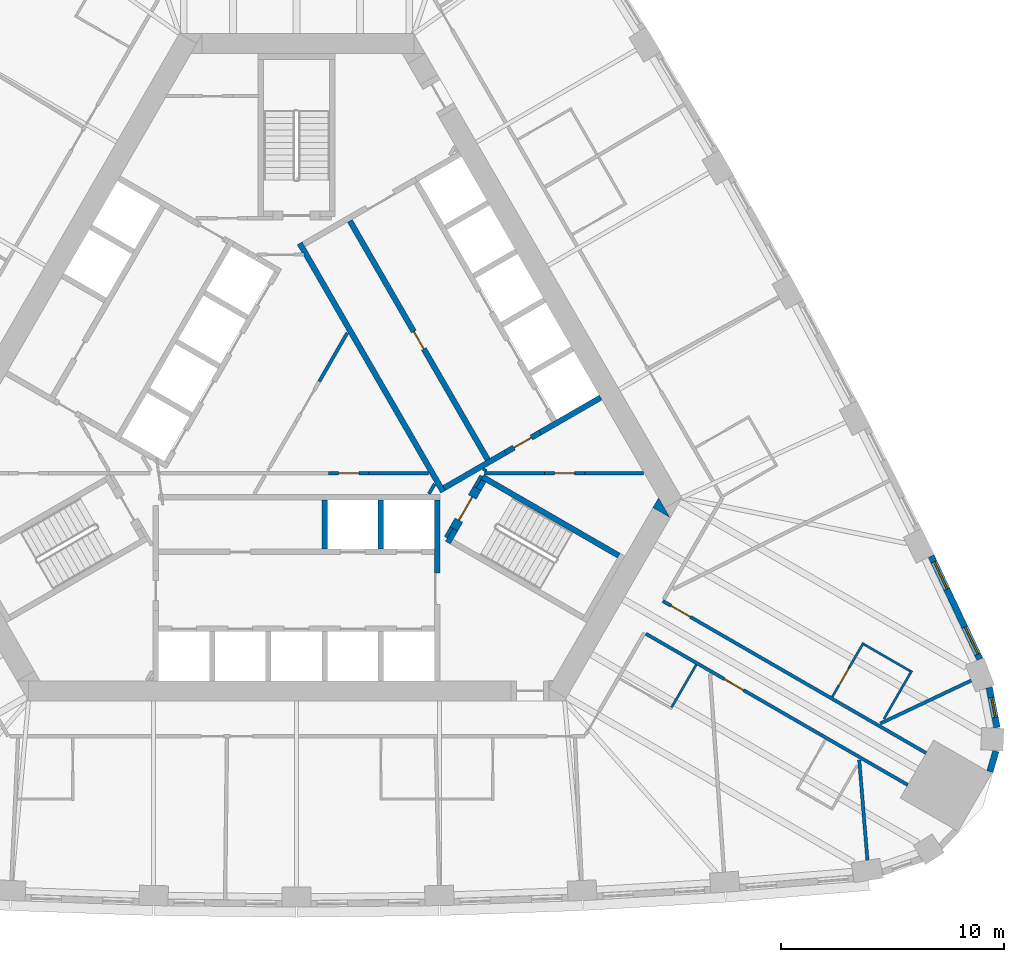
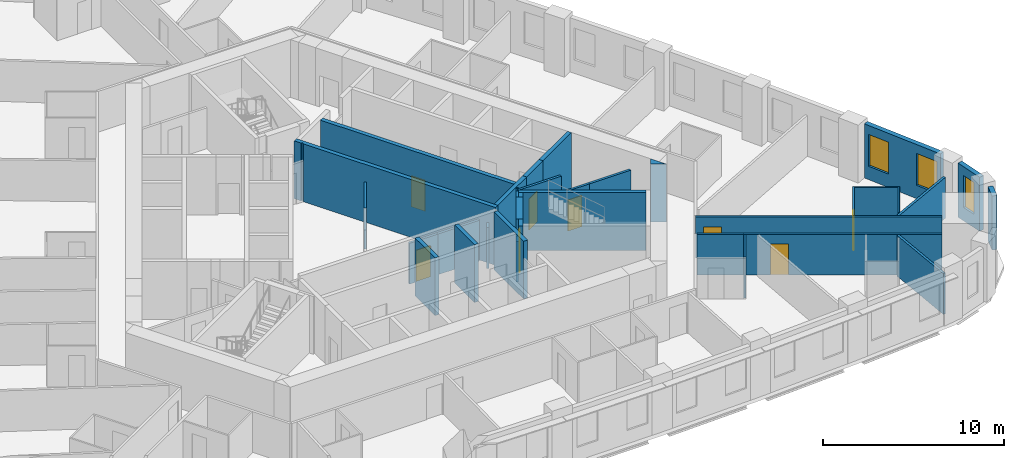
# One storey, part 8 of 12: 34 walls, 8 doors, 3 windows, 11 openings.
"""IFC4 building model written with IfcOpenShell, lengths in metres."""

from ifc_helpers import new_model, si_unit, direction, frame, frame_2d, origin, place, context, subcontext, project, spatial, polyline, rectangle, outline, extrude, material, layer, layer_set, type_object, element, fill, save


model = new_model("IFC4")

# Units and contexts
model_context = context("Model", 3, precision=1e-05, world=origin(), true_north=direction((0.0, 1.0)))
body_context = subcontext(model_context, "Body", "Model", "MODEL_VIEW")
ifc_project = project(units=[si_unit("LENGTHUNIT", "METRE"), si_unit("AREAUNIT", "SQUARE_METRE"), si_unit("VOLUMEUNIT", "CUBIC_METRE"), si_unit("PLANEANGLEUNIT", "RADIAN"), si_unit("MASSUNIT", "GRAM", prefix="KILO")], contexts=[model_context])

# Site, building, storey
site_placement = place(None, origin())
site = spatial("IfcSite", under=ifc_project, at=site_placement, CompositionType="ELEMENT")
building_placement = place(site_placement, origin())
building = spatial("IfcBuilding", under=site, at=building_placement, Name="Mestral Congress Tower", CompositionType="ELEMENT")
storey_placement = place(building_placement, frame((0.0, 0.0, 126.60009765625)))
storey = spatial("IfcBuildingStorey", under=building, at=storey_placement, Name="L30", CompositionType="ELEMENT", Elevation=126.60009765625)

# Walls
ifc_material_1 = material(Name="Fire-rated board partition")
ifc_layer_1 = layer(ifc_material_1, 0.14990234375)
ifc_layer_set_1 = layer_set([ifc_layer_1], Name="Fire-rated board partition")
wall_type_1 = type_object("IfcWallType", Name="Core partition 150", PredefinedType="PARTITIONING", material=ifc_layer_set_1)
wall_1_placement = place(storey_placement, frame((6.68798828125, -5.667236328125, 0.0), z_axis=(0.0, 0.0, 1.0), x_axis=(0.499834152157, 0.86612113491, 0.0)))
element("IfcWall", 1, at=wall_1_placement, inside=storey, type_object=wall_type_1, Name="L30 core wall", PredefinedType="PARTITIONING", context=body_context, shape_type="SweptSolid", body=[
    extrude(rectangle(XDim=0.504638671875, YDim=0.14990234375, at=frame_2d((0.25244140625, 0.0))), origin(), (0.0, 0.0, 1.0), 2.75),
])
wall_2_placement = place(storey_placement, frame((5.935791015625, -3.718017578125, 0.0), z_axis=(0.0, 0.0, 1.0), x_axis=(0.499890179513, 0.866088799389, 0.0)))
element("IfcWall", 2, at=wall_2_placement, inside=storey, type_object=wall_type_1, Name="L30 core wall", PredefinedType="PARTITIONING", context=body_context, shape_type="SweptSolid", body=[
    extrude(rectangle(XDim=0.50390625, YDim=0.14990234375, at=frame_2d((0.251953125, 0.0))), origin(), (0.0, 0.0, 1.0), 2.75),
])
wall_3_placement = place(storey_placement, frame((3.23828125, -2.800048828125, 0.0), z_axis=(0.0, 0.0, 1.0), x_axis=(1.0, 0.0, 0.0)))
element("IfcWall", 3, at=wall_3_placement, inside=storey, type_object=wall_type_1, Name="L30 core wall", PredefinedType="PARTITIONING", context=body_context, shape_type="SweptSolid", body=[
    extrude(rectangle(XDim=2.671630859375, YDim=0.14990234375, at=frame_2d((1.3359375, 0.0))), origin(), (0.0, 0.0, 1.0), 2.75),
])
wall_4_placement = place(storey_placement, frame((12.914794921875, -2.800048828125, 0.0), z_axis=(0.0, 0.0, 1.0), x_axis=(1.0, 0.0, 0.0)))
element("IfcWall", 4, at=wall_4_placement, inside=storey, type_object=wall_type_1, Name="L30 core wall", PredefinedType="PARTITIONING", context=body_context, shape_type="SweptSolid", body=[
    extrude(rectangle(XDim=2.636962890625, YDim=0.14990234375, at=frame_2d((1.318359375, 0.0))), origin(), (0.0, 0.0, 1.0), 2.75),
])
wall_5_placement = place(storey_placement, frame((1.01611328125, 1.30908203125, 0.0), z_axis=(0.0, 0.0, 1.0), x_axis=(0.49998231768, 0.866035612436, 0.0)))
element("IfcWall", 5, at=wall_5_placement, inside=storey, type_object=wall_type_1, Name="L30 core wall", PredefinedType="PARTITIONING", context=body_context, shape_type="SweptSolid", body=[
    extrude(rectangle(XDim=2.52099609375, YDim=0.14990234375, at=frame_2d((1.260498046875, 0.0))), origin(), (0.0, 0.0, 1.0), 2.75),
])

# Wall, opening, door
wall_6_placement = place(storey_placement, frame((1.438232421875, -2.800048828125, 0.0), z_axis=(0.0, 0.0, 1.0), x_axis=(1.0, 0.0, 0.0)))
wall_6 = element("IfcWall", 6, at=wall_6_placement, inside=storey, type_object=wall_type_1, Name="L30 door wall", PredefinedType="PARTITIONING", context=body_context, shape_type="SweptSolid", body=[
    extrude(rectangle(XDim=1.800048828125, YDim=0.14990234375, at=frame_2d((0.89990234375, 0.0))), origin(), (0.0, 0.0, 1.0), 2.75),
])
opening_1_placement = place(wall_6_placement, frame((0.449951171875, 0.0, 0.0)))
opening_1 = element("IfcOpeningElement", 7, at=opening_1_placement, cuts=wall_6, Name="Opening SD-HUB3", PredefinedType="OPENING", context=body_context, shape_type="SweptSolid", body=[
    extrude(rectangle(XDim=0.89990234375, YDim=2.10009765625, at=frame_2d((0.449951171875, 1.050048828125))), frame((0.0, 0.0849609375, 0.0), z_axis=(0.0, -1.0, 0.0), x_axis=(1.0, 0.0, 0.0)), (0.0, 0.0, 1.0), 0.169921875),
])
ifc_material_2 = material(Name="Fire-rated steel door set", Category="steel")
door_type_1 = type_object("IfcDoorType", Name="Core door SR 900x2100", OperationType="SINGLE_SWING_LEFT", PredefinedType="DOOR", material=ifc_material_2)
door_1_placement = place(opening_1_placement, origin())
door_1 = element("IfcDoor", 8, at=door_1_placement, inside=storey, type_object=door_type_1, Name="Door SD-HUB3", OperationType="SINGLE_SWING_LEFT", OverallHeight=2.10009765625, OverallWidth=0.89990234375, PredefinedType="DOOR", context=body_context, shape_type="SweptSolid", body=[
    extrude(rectangle(XDim=0.89990234375, YDim=2.10009765625, at=frame_2d((0.449951171875, 1.050048828125))), frame((0.0, 0.02490234375, 0.0), z_axis=(0.0, -1.0, 0.0), x_axis=(1.0, 0.0, 0.0)), (0.0, 0.0, 1.0), 0.050048828125),
])
fill(opening_1, door_1)

wall_7_placement = place(storey_placement, frame((11.114501953125, -2.800048828125, 0.0), z_axis=(0.0, 0.0, 1.0), x_axis=(1.0, 0.0, 0.0)))
wall_7 = element("IfcWall", 9, at=wall_7_placement, inside=storey, type_object=wall_type_1, Name="L30 door wall", PredefinedType="PARTITIONING", context=body_context, shape_type="SweptSolid", body=[
    extrude(rectangle(XDim=1.800048828125, YDim=0.14990234375, at=frame_2d((0.89990234375, 0.0))), origin(), (0.0, 0.0, 1.0), 2.75),
])
opening_2_placement = place(wall_7_placement, frame((0.449951171875, 0.0, 0.0)))
opening_2 = element("IfcOpeningElement", 10, at=opening_2_placement, cuts=wall_7, Name="Opening TD1", PredefinedType="OPENING", context=body_context, shape_type="SweptSolid", body=[
    extrude(rectangle(XDim=0.89990234375, YDim=2.10009765625, at=frame_2d((0.449951171875, 1.050048828125))), frame((0.0, 0.0849609375, 0.0), z_axis=(0.0, -1.0, 0.0), x_axis=(1.0, 0.0, 0.0)), (0.0, 0.0, 1.0), 0.169921875),
])
door_2_placement = place(opening_2_placement, origin())
door_2 = element("IfcDoor", 11, at=door_2_placement, inside=storey, type_object=door_type_1, Name="Door TD1", OperationType="SINGLE_SWING_LEFT", OverallHeight=2.10009765625, OverallWidth=0.89990234375, PredefinedType="DOOR", context=body_context, shape_type="SweptSolid", body=[
    extrude(rectangle(XDim=0.89990234375, YDim=2.10009765625, at=frame_2d((0.449951171875, 1.050048828125))), frame((0.0, 0.02490234375, 0.0), z_axis=(0.0, -1.0, 0.0), x_axis=(1.0, 0.0, 0.0)), (0.0, 0.0, 1.0), 0.050048828125),
])
fill(opening_2, door_2)

# Walls
ifc_material_3 = material(Name="Concrete C60/75", Category="concrete")
ifc_layer_2 = layer(ifc_material_3, 0.89990234375)
ifc_layer_set_2 = layer_set([ifc_layer_2], Name="Concrete C60/75")
wall_type_2 = type_object("IfcWallType", Name="Core wall RC 900", PredefinedType="SOLIDWALL", material=ifc_layer_set_2)
placement = place(storey_placement, origin())
element("IfcWall", 12, at=placement, inside=storey, type_object=wall_type_2, Name="L30 core wall", PredefinedType="SOLIDWALL", context=body_context, shape_type="SweptSolid", body=[
    extrude(outline(polyline([(16.223388671875, -3.900146484375), (16.731689453125, -4.780029296875), (15.969482421875, -4.340087890625), (16.223388671875, -3.900146484375)])), origin(), (0.0, 0.0, 1.0), 3.89990234375),
])
ifc_material_4 = material(Name="Precast concrete C40/50 with limestone facing", Category="masonry")
ifc_layer_3 = layer(ifc_material_4, 0.2900390625)
ifc_layer_set_3 = layer_set([ifc_layer_3], Name="Precast concrete C40/50 with limestone facing")
wall_type_3 = type_object("IfcWallType", Name="Facade stone wall 290", PredefinedType="SOLIDWALL", material=ifc_layer_set_3)
wall_9_placement = place(storey_placement, frame((31.069091796875, -16.165283203125, 0.0), z_axis=(0.0, 0.0, 1.0), x_axis=(0.281454582132, 0.95957455062, 0.0)))
element("IfcWall", 13, at=wall_9_placement, inside=storey, type_object=wall_type_3, Name="Facade wall K0-2", PredefinedType="SOLIDWALL", context=body_context, shape_type="SweptSolid", body=[
    extrude(rectangle(XDim=0.947265625, YDim=0.2900390625, at=frame_2d((0.4736328125, 0.0))), origin(), (0.0, 0.0, 1.0), 3.64990234375),
])

# Wall, opening, window
wall_10_placement = place(storey_placement, frame((31.385498046875, -14.189208984375, 0.0), z_axis=(0.0, 0.0, 1.0), x_axis=(-0.190409913989, 0.981704672829, 0.0)))
wall_10 = element("IfcWall", 14, at=wall_10_placement, inside=storey, type_object=wall_type_3, Name="Facade wall K0-3", PredefinedType="SOLIDWALL", context=body_context, shape_type="SweptSolid", body=[
    extrude(rectangle(XDim=1.8193359375, YDim=0.2900390625, at=frame_2d((0.90966796875, 0.0))), origin(), (0.0, 0.0, 1.0), 3.64990234375),
])
opening_3_placement = place(wall_10_placement, frame((0.459716796875, 0.0, 0.89990234375)))
opening_3 = element("IfcOpeningElement", 15, at=opening_3_placement, cuts=wall_10, Name="Opening W3", PredefinedType="OPENING", context=body_context, shape_type="SweptSolid", body=[
    extrude(rectangle(XDim=0.89990234375, YDim=2.14990234375, at=frame_2d((0.449951171875, 1.074951171875))), frame((0.0, 0.155029296875, 0.0), z_axis=(0.0, -1.0, 0.0), x_axis=(1.0, 0.0, 0.0)), (0.0, 0.0, 1.0), 0.31005859375),
])
ifc_material_5 = material(Name="Clear low-emissivity double glazing", Category="glass")
window_type_1 = type_object("IfcWindowType", Name="Facade punched window 900 x 2150 sill 900", PartitioningType="SINGLE_PANEL", PredefinedType="WINDOW", material=ifc_material_5)
window_1_placement = place(opening_3_placement, origin())
window_1 = element("IfcWindow", 16, at=window_1_placement, inside=storey, type_object=window_type_1, Name="Window K0-3", OverallHeight=2.14990234375, OverallWidth=0.89990234375, PartitioningType="SINGLE_PANEL", PredefinedType="WINDOW", context=body_context, shape_type="SweptSolid", body=[
    extrude(rectangle(XDim=0.89990234375, YDim=2.14990234375, at=frame_2d((0.449951171875, 1.074951171875))), frame((0.0, 0.01513671875, 0.0), z_axis=(0.0, -1.0, 0.0), x_axis=(1.0, 0.0, 0.0)), (0.0, 0.0, 1.0), 0.06005859375),
])
fill(opening_3, window_1)

# Wall, openings, windows
wall_11_placement = place(storey_placement, frame((30.61962890625, -11.127197265625, 0.0), z_axis=(0.0, 0.0, 1.0), x_axis=(-0.427543726596, 0.903994669148, 0.0)))
wall_11 = element("IfcWall", 17, at=wall_11_placement, inside=storey, type_object=wall_type_3, Name="Facade wall F1-00", PredefinedType="SOLIDWALL", context=body_context, shape_type="SweptSolid", body=[
    extrude(rectangle(XDim=5.106689453125, YDim=0.2900390625, at=frame_2d((2.55322265625, 0.0))), origin(), (0.0, 0.0, 1.0), 3.64990234375),
])
opening_4_placement = place(wall_11_placement, frame((0.240478515625, 0.0, 0.89990234375)))
opening_4 = element("IfcOpeningElement", 18, at=opening_4_placement, cuts=wall_11, Name="Opening W2", PredefinedType="OPENING", context=body_context, shape_type="SweptSolid", body=[
    extrude(rectangle(XDim=1.35009765625, YDim=2.14990234375, at=frame_2d((0.675048828125, 1.074951171875))), frame((0.0, 0.155029296875, 0.0), z_axis=(0.0, -1.0, 0.0), x_axis=(1.0, 0.0, 0.0)), (0.0, 0.0, 1.0), 0.31005859375),
])
opening_5_placement = place(wall_11_placement, frame((3.47119140625, 0.0, 0.89990234375)))
opening_5 = element("IfcOpeningElement", 19, at=opening_5_placement, cuts=wall_11, Name="Opening W2", PredefinedType="OPENING", context=body_context, shape_type="SweptSolid", body=[
    extrude(rectangle(XDim=1.35009765625, YDim=2.14990234375, at=frame_2d((0.675048828125, 1.074951171875))), frame((0.0, 0.155029296875, 0.0), z_axis=(0.0, -1.0, 0.0), x_axis=(1.0, 0.0, 0.0)), (0.0, 0.0, 1.0), 0.31005859375),
])
window_type_2 = type_object("IfcWindowType", Name="Facade punched window 1350 x 2150 sill 900", PartitioningType="DOUBLE_PANEL_VERTICAL", PredefinedType="WINDOW", material=ifc_material_5)
window_2_placement = place(opening_4_placement, origin())
window_2 = element("IfcWindow", 20, at=window_2_placement, inside=storey, type_object=window_type_2, Name="Window F1-00a", OverallHeight=2.14990234375, OverallWidth=1.35009765625, PartitioningType="DOUBLE_PANEL_VERTICAL", PredefinedType="WINDOW", context=body_context, shape_type="SweptSolid", body=[
    extrude(rectangle(XDim=1.35009765625, YDim=2.14990234375, at=frame_2d((0.675048828125, 1.074951171875))), frame((0.0, 0.01513671875, 0.0), z_axis=(0.0, -1.0, 0.0), x_axis=(1.0, 0.0, 0.0)), (0.0, 0.0, 1.0), 0.06005859375),
])
fill(opening_4, window_2)
window_3_placement = place(opening_5_placement, origin())
window_3 = element("IfcWindow", 21, at=window_3_placement, inside=storey, type_object=window_type_2, Name="Window F1-00b", OverallHeight=2.14990234375, OverallWidth=1.35009765625, PartitioningType="DOUBLE_PANEL_VERTICAL", PredefinedType="WINDOW", context=body_context, shape_type="SweptSolid", body=[
    extrude(rectangle(XDim=1.35009765625, YDim=2.14990234375, at=frame_2d((0.675048828125, 1.074951171875))), frame((0.0, 0.01513671875, 0.0), z_axis=(0.0, -1.0, 0.0), x_axis=(1.0, 0.0, 0.0)), (0.0, 0.0, 1.0), 0.06005859375),
])
fill(opening_5, window_3)

# Wall
ifc_material_6 = material(Name="Gypsum board partition on metal studs with mineral wool", Category="composite")
ifc_layer_4 = layer(ifc_material_6, 0.10009765625)
ifc_layer_set_4 = layer_set([ifc_layer_4], Name="Gypsum board partition on metal studs with mineral wool")
wall_type_4 = type_object("IfcWallType", Name="Hotel partition wall 100", PredefinedType="PARTITIONING", material=ifc_layer_set_4)
wall_12_placement = place(storey_placement, frame((16.8095703125, -13.284912109375, 0.0), z_axis=(0.0, 0.0, 1.0), x_axis=(0.499994660107, 0.866028486751, 0.0)))
element("IfcWall", 22, at=wall_12_placement, inside=storey, type_object=wall_type_4, Name="L30-h-pod05b", PredefinedType="PARTITIONING", context=body_context, shape_type="SweptSolid", body=[
    extrude(rectangle(XDim=2.19970703125, YDim=0.10009765625, at=frame_2d((1.099853515625, 0.0))), origin(), (0.0, 0.0, 1.0), 2.75),
])

# Wall, opening, door
wall_13_placement = place(storey_placement, frame((25.40380859375, -10.39453125, 0.0), z_axis=(0.0, 0.0, 1.0), x_axis=(-0.49998411664, -0.866034573852, 0.0)))
wall_13 = element("IfcWall", 23, at=wall_13_placement, inside=storey, type_object=wall_type_4, Name="L30-h-pod07a", PredefinedType="PARTITIONING", context=body_context, shape_type="SweptSolid", body=[
    extrude(rectangle(XDim=2.7998046875, YDim=0.10009765625, at=frame_2d((1.39990234375, 0.0))), origin(), (0.0, 0.0, 1.0), 2.75),
])
opening_6_placement = place(wall_13_placement, frame((1.300048828125, 0.0, 0.0)))
opening_6 = element("IfcOpeningElement", 24, at=opening_6_placement, cuts=wall_13, Name="Opening H09-014", PredefinedType="OPENING", context=body_context, shape_type="SweptSolid", body=[
    extrude(rectangle(XDim=0.89990234375, YDim=2.10009765625, at=frame_2d((0.449951171875, 1.050048828125))), frame((0.0, 0.06005859375, 0.0), z_axis=(0.0, -1.0, 0.0), x_axis=(1.0, 0.0, 0.0)), (0.0, 0.0, 1.0), 0.1201171875),
])
ifc_material_7 = material(Name="Timber veneer door leaf in timber frame", Category="wood")
door_type_2 = type_object("IfcDoorType", Name="Bathroom door 900", OperationType="SINGLE_SWING_LEFT", PredefinedType="DOOR", material=ifc_material_7)
door_3_placement = place(opening_6_placement, origin())
door_3 = element("IfcDoor", 25, at=door_3_placement, inside=storey, type_object=door_type_2, Name="L30-h-d014", OperationType="SINGLE_SWING_LEFT", OverallHeight=2.10009765625, OverallWidth=0.89990234375, PredefinedType="DOOR", context=body_context, shape_type="SweptSolid", body=[
    extrude(rectangle(XDim=0.89990234375, YDim=2.10009765625, at=frame_2d((0.449951171875, 1.050048828125))), frame((0.0, 0.02490234375, 0.0), z_axis=(0.0, -1.0, 0.0), x_axis=(1.0, 0.0, 0.0)), (0.0, 0.0, 1.0), 0.050048828125),
])
fill(opening_6, door_3)

# Walls
wall_14_placement = place(storey_placement, frame((25.422119140625, -10.462890625, 0.0), z_axis=(0.0, 0.0, 1.0), x_axis=(0.866024647952, -0.500001309137, 0.0)))
element("IfcWall", 26, at=wall_14_placement, inside=storey, type_object=wall_type_4, Name="L30-h-pod07b", PredefinedType="PARTITIONING", context=body_context, shape_type="SweptSolid", body=[
    extrude(rectangle(XDim=2.39990234375, YDim=0.10009765625, at=frame_2d((1.199951171875, 0.0))), origin(), (0.0, 0.0, 1.0), 2.75),
])
wall_15_placement = place(storey_placement, frame((26.31884765625, -13.8095703125, 0.0), z_axis=(0.0, 0.0, 1.0), x_axis=(0.500004234368, 0.866022959057, 0.0)))
element("IfcWall", 27, at=wall_15_placement, inside=storey, type_object=wall_type_4, Name="L30-h-pod07c", PredefinedType="PARTITIONING", context=body_context, shape_type="SweptSolid", body=[
    extrude(rectangle(XDim=2.5, YDim=0.10009765625, at=frame_2d((1.25, 0.0))), origin(), (0.0, 0.0, 1.0), 2.75),
])

# Wall, opening, door
ifc_layer_5 = layer(ifc_material_6, 0.14990234375)
ifc_layer_set_5 = layer_set([ifc_layer_5], Name="Gypsum board partition on metal studs with mineral wool")
wall_type_5 = type_object("IfcWallType", Name="Hotel partition wall 150", PredefinedType="PARTITIONING", material=ifc_layer_set_5)
wall_16_placement = place(storey_placement, frame((16.412353515625, -8.52294921875, 0.0), z_axis=(0.0, 0.0, 1.0), x_axis=(0.866025629663, -0.499999608766, 0.0)))
wall_16 = element("IfcWall", 28, at=wall_16_placement, inside=storey, type_object=wall_type_5, Name="L30-h-cw01", PredefinedType="PARTITIONING", context=body_context, shape_type="SweptSolid", body=[
    extrude(rectangle(XDim=13.62353515625, YDim=0.14990234375, at=frame_2d((6.811767578125, 0.0))), origin(), (0.0, 0.0, 1.0), 2.75),
])
opening_7_placement = place(wall_16_placement, frame((0.42626953125, 0.0, 0.0)))
opening_7 = element("IfcOpeningElement", 29, at=opening_7_placement, cuts=wall_16, Name="Opening H09-013", PredefinedType="OPENING", context=body_context, shape_type="SweptSolid", body=[
    extrude(rectangle(XDim=1.0, YDim=2.10009765625, at=frame_2d((0.5, 1.050048828125))), frame((0.0, 0.0849609375, 0.0), z_axis=(0.0, -1.0, 0.0), x_axis=(1.0, 0.0, 0.0)), (0.0, 0.0, 1.0), 0.169921875),
])
ifc_material_8 = material(Name="Timber veneer door leaf in metal frame", Category="wood")
door_type_3 = type_object("IfcDoorType", Name="Guest room entrance door 1000", OperationType="SINGLE_SWING_LEFT", PredefinedType="DOOR", material=ifc_material_8)
door_4_placement = place(opening_7_placement, origin())
door_4 = element("IfcDoor", 30, at=door_4_placement, inside=storey, type_object=door_type_3, Name="L30-h-d013", OperationType="SINGLE_SWING_LEFT", OverallHeight=2.10009765625, OverallWidth=1.0, PredefinedType="DOOR", context=body_context, shape_type="SweptSolid", body=[
    extrude(rectangle(XDim=1.0, YDim=2.10009765625, at=frame_2d((0.5, 1.050048828125))), frame((0.0, 0.02490234375, 0.0), z_axis=(0.0, -1.0, 0.0), x_axis=(1.0, 0.0, 0.0)), (0.0, 0.0, 1.0), 0.050048828125),
])
fill(opening_7, door_4)

wall_17_placement = place(storey_placement, frame((27.3857421875, -16.763916015625, 0.0), z_axis=(0.0, 0.0, 1.0), x_axis=(-0.866022585856, 0.500004880763, 0.0)))
wall_17 = element("IfcWall", 31, at=wall_17_placement, inside=storey, type_object=wall_type_5, Name="L30-h-cw15", PredefinedType="PARTITIONING", context=body_context, shape_type="SweptSolid", body=[
    extrude(rectangle(XDim=13.543701171875, YDim=0.14990234375, at=frame_2d((6.77197265625, 0.0))), origin(), (0.0, 0.0, 1.0), 2.75),
])
opening_8_placement = place(wall_17_placement, frame((8.490966796875, 0.0, 0.0)))
opening_8 = element("IfcOpeningElement", 32, at=opening_8_placement, cuts=wall_17, Name="Opening H09-011", PredefinedType="OPENING", context=body_context, shape_type="SweptSolid", body=[
    extrude(rectangle(XDim=1.0, YDim=2.10009765625, at=frame_2d((0.5, 1.050048828125))), frame((0.0, 0.0849609375, 0.0), z_axis=(0.0, -1.0, 0.0), x_axis=(1.0, 0.0, 0.0)), (0.0, 0.0, 1.0), 0.169921875),
])
door_5_placement = place(opening_8_placement, origin())
door_5 = element("IfcDoor", 33, at=door_5_placement, inside=storey, type_object=door_type_3, Name="L30-h-d011", OperationType="SINGLE_SWING_RIGHT", OverallHeight=2.10009765625, OverallWidth=1.0, PredefinedType="DOOR", context=body_context, shape_type="SweptSolid", body=[
    extrude(rectangle(XDim=1.0, YDim=2.10009765625, at=frame_2d((0.5, 1.050048828125))), frame((0.0, 0.02490234375, 0.0), z_axis=(0.0, -1.0, 0.0), x_axis=(1.0, 0.0, 0.0)), (0.0, 0.0, 1.0), 0.050048828125),
])
fill(opening_8, door_5)

# Walls
wall_18_placement = place(storey_placement, frame((25.581787109375, -20.13818359375, 0.0), z_axis=(0.0, 0.0, 1.0), x_axis=(-0.081746132986, 0.996653184283, 0.0)))
element("IfcWall", 34, at=wall_18_placement, inside=storey, type_object=wall_type_5, Name="L30-h-pw21", PredefinedType="PARTITIONING", context=body_context, shape_type="SweptSolid", body=[
    extrude(rectangle(XDim=4.509765625, YDim=0.14990234375, at=frame_2d((2.2548828125, 0.0))), origin(), (0.0, 0.0, 1.0), 2.75),
])
wall_19_placement = place(storey_placement, frame((30.23095703125, -12.08544921875, 0.0), z_axis=(0.0, 0.0, 1.0), x_axis=(-0.904001132572, -0.427530060122, 0.0)))
element("IfcWall", 35, at=wall_19_placement, inside=storey, type_object=wall_type_5, Name="L30-h-pw22", PredefinedType="PARTITIONING", context=body_context, shape_type="SweptSolid", body=[
    extrude(rectangle(XDim=4.509521484375, YDim=0.14990234375, at=frame_2d((2.2548828125, 0.0))), origin(), (0.0, 0.0, 1.0), 2.75),
])
ifc_layer_6 = layer(ifc_material_3, 0.25)
ifc_layer_set_6 = layer_set([ifc_layer_6], Name="Concrete C60/75")
wall_type_6 = type_object("IfcWallType", Name="Shaft wall RC 250", PredefinedType="SOLIDWALL", material=ifc_layer_set_6)
wall_20_placement = place(storey_placement, frame((6.300048828125, -7.26806640625, 0.0), z_axis=(0.0, 0.0, 1.0), x_axis=(0.0, 1.0, 0.0)))
element("IfcWall", 36, at=wall_20_placement, inside=storey, type_object=wall_type_6, Name="L30 core wall", PredefinedType="SOLIDWALL", context=body_context, shape_type="SweptSolid", body=[
    extrude(rectangle(XDim=3.26806640625, YDim=0.25, at=frame_2d((1.634033203125, 0.0))), origin(), (0.0, 0.0, 1.0), 3.89990234375),
])
for number, where, z_axis, x_axis, name in (
    (37, (3.780029296875, -4.0, 0.0), (0.0, 0.0, 1.0), (0.0, -1.0, 0.0), "L30 core wall"),
    (38, (1.260009765625, -4.0, 0.0), (0.0, 0.0, 1.0), (0.0, -1.0, 0.0), "L30 core wall"),
):
    element("IfcWall", number, at=place(storey_placement, frame(where, z_axis=z_axis, x_axis=x_axis)), inside=storey, type_object=wall_type_6, Name=name, PredefinedType="SOLIDWALL", context=body_context, shape_type="SweptSolid", body=[
        extrude(rectangle(XDim=2.199951171875, YDim=0.25, at=frame_2d((1.10009765625, 0.0))), origin(), (0.0, 0.0, 1.0), 3.89990234375),
    ])
element("IfcWall", 39, at=placement, inside=storey, type_object=wall_type_6, Name="L30 core wall", PredefinedType="SOLIDWALL", context=body_context, shape_type="SweptSolid", body=[
    extrude(outline(polyline([(0.334716796875, 6.925048828125), (0.334716796875, 6.925048828125), (0.334716796875, 7.074951171875), (0.334716796875, 7.074951171875), (0.334716796875, 7.0751953125), (0.245361328125, 7.0751953125), (0.079345703125, 7.362548828125), (0.03515625, 7.439208984375), (0.251708984375, 7.564208984375), (0.376708984375, 7.34765625), (6.551513671875, -3.34765625), (6.676513671875, -3.564208984375), (6.460205078125, -3.689208984375), (4.896728515625, -0.981201171875), (0.33203125, 6.9248046875), (0.334716796875, 6.9248046875), (0.334716796875, 6.925048828125)])), origin(), (0.0, 0.0, 1.0), 3.89990234375),
])
wall_22_placement = place(storey_placement, frame((9.35205078125, -1.875244140625, 0.0), z_axis=(0.0, 0.0, 1.0), x_axis=(-0.866024844342, -0.500000968981, 0.0)))
element("IfcWall", 40, at=wall_22_placement, inside=storey, type_object=wall_type_6, Name="L30 core wall", PredefinedType="SOLIDWALL", context=body_context, shape_type="SweptSolid", body=[
    extrude(rectangle(XDim=3.16162109375, YDim=0.25, at=frame_2d((1.580810546875, 0.0))), origin(), (0.0, 0.0, 1.0), 3.89990234375),
])
wall_23_placement = place(storey_placement, frame((10.910888671875, -0.97509765625, 0.0), z_axis=(0.0, 0.0, 1.0), x_axis=(0.866046979468, 0.499962627957, 0.0)))
element("IfcWall", 41, at=wall_23_placement, inside=storey, type_object=wall_type_6, Name="L30 core wall", PredefinedType="SOLIDWALL", context=body_context, shape_type="SweptSolid", body=[
    extrude(rectangle(XDim=3.138427734375, YDim=0.25, at=frame_2d((1.5693359375, 0.0))), origin(), (0.0, 0.0, 1.0), 3.89990234375),
])

# Wall, opening, door
wall_24_placement = place(storey_placement, frame((8.565185546875, -2.185302734375, 0.0), z_axis=(0.0, 0.0, 1.0), x_axis=(-0.499997954832, 0.866026584559, 0.0)))
wall_24 = element("IfcWall", 42, at=wall_24_placement, inside=storey, type_object=wall_type_6, Name="L30 door wall", PredefinedType="SOLIDWALL", context=body_context, shape_type="SweptSolid", body=[
    extrude(rectangle(XDim=12.35009765625, YDim=0.25, at=frame_2d((6.175048828125, 0.0))), origin(), (0.0, 0.0, 1.0), 3.89990234375),
])
opening_9_placement = place(wall_24_placement, frame((5.72509765625, 0.0, 0.0)))
opening_9 = element("IfcOpeningElement", 43, at=opening_9_placement, cuts=wall_24, Name="Opening SR-NEB1", PredefinedType="OPENING", context=body_context, shape_type="SweptSolid", body=[
    extrude(rectangle(XDim=0.89990234375, YDim=2.10009765625, at=frame_2d((0.449951171875, 1.050048828125))), frame((0.0, 0.135009765625, 0.0), z_axis=(0.0, -1.0, 0.0), x_axis=(1.0, 0.0, 0.0)), (0.0, 0.0, 1.0), 0.27001953125),
])
door_6_placement = place(opening_9_placement, origin())
door_6 = element("IfcDoor", 44, at=door_6_placement, inside=storey, type_object=door_type_1, Name="Door SR-NEB1", OperationType="SINGLE_SWING_LEFT", OverallHeight=2.10009765625, OverallWidth=0.89990234375, PredefinedType="DOOR", context=body_context, shape_type="SweptSolid", body=[
    extrude(rectangle(XDim=0.89990234375, YDim=2.10009765625, at=frame_2d((0.449951171875, 1.050048828125))), frame((0.0, 0.02490234375, 0.0), z_axis=(0.0, -1.0, 0.0), x_axis=(1.0, 0.0, 0.0)), (0.0, 0.0, 1.0), 0.050048828125),
])
fill(opening_9, door_6)

wall_25_placement = place(storey_placement, frame((9.35205078125, -1.875244140625, 0.0), z_axis=(0.0, 0.0, 1.0), x_axis=(0.865989075817, 0.500062916607, 0.0)))
wall_25 = element("IfcWall", 45, at=wall_25_placement, inside=storey, type_object=wall_type_6, Name="L30 door wall", PredefinedType="SOLIDWALL", context=body_context, shape_type="SweptSolid", body=[
    extrude(rectangle(XDim=1.800048828125, YDim=0.25, at=frame_2d((0.89990234375, 0.0))), origin(), (0.0, 0.0, 1.0), 3.89990234375),
])
opening_10_placement = place(wall_25_placement, frame((0.449951171875, 0.0, 0.0)))
opening_10 = element("IfcOpeningElement", 46, at=opening_10_placement, cuts=wall_25, Name="Opening SD-HUB2", PredefinedType="OPENING", context=body_context, shape_type="SweptSolid", body=[
    extrude(rectangle(XDim=0.89990234375, YDim=2.10009765625, at=frame_2d((0.449951171875, 1.050048828125))), frame((0.0, 0.135009765625, 0.0), z_axis=(0.0, -1.0, 0.0), x_axis=(1.0, 0.0, 0.0)), (0.0, 0.0, 1.0), 0.27001953125),
])
door_7_placement = place(opening_10_placement, origin())
door_7 = element("IfcDoor", 47, at=door_7_placement, inside=storey, type_object=door_type_1, Name="Door SD-HUB2", OperationType="SINGLE_SWING_LEFT", OverallHeight=2.10009765625, OverallWidth=0.89990234375, PredefinedType="DOOR", context=body_context, shape_type="SweptSolid", body=[
    extrude(rectangle(XDim=0.89990234375, YDim=2.10009765625, at=frame_2d((0.449951171875, 1.050048828125))), frame((0.0, 0.02490234375, 0.0), z_axis=(0.0, -1.0, 0.0), x_axis=(1.0, 0.0, 0.0)), (0.0, 0.0, 1.0), 0.050048828125),
])
fill(opening_10, door_7)

# Walls
ifc_layer_7 = layer(ifc_material_3, 0.14990234375)
ifc_layer_set_7 = layer_set([ifc_layer_7], Name="Concrete C60/75")
wall_type_7 = type_object("IfcWallType", Name="Shaft wall RC 250 door-wall 150", PredefinedType="SOLIDWALL", material=ifc_layer_set_7)
wall_26_placement = place(storey_placement, frame((8.412109375, -2.800048828125, 0.0), z_axis=(0.0, 0.0, 1.0), x_axis=(1.0, 0.0, 0.0)))
element("IfcWall", 48, at=wall_26_placement, inside=storey, type_object=wall_type_7, Name="L30 core wall", PredefinedType="PARTITIONING", context=body_context, shape_type="SweptSolid", body=[
    extrude(rectangle(XDim=2.702392578125, YDim=0.14990234375, at=frame_2d((1.35107421875, 0.0))), origin(), (0.0, 0.0, 1.0), 3.89990234375),
])
wall_27_placement = place(storey_placement, frame((8.458984375, -2.598876953125, 0.0), z_axis=(0.0, 0.0, 1.0), x_axis=(-0.501919277433, -0.864914469148, 0.0)))
element("IfcWall", 49, at=wall_27_placement, inside=storey, type_object=wall_type_7, Name="L30 core wall", PredefinedType="PARTITIONING", context=body_context, shape_type="SweptSolid", body=[
    extrude(rectangle(XDim=0.10888671875, YDim=0.14990234375, at=frame_2d((0.054443359375, 0.0))), origin(), (0.0, 0.0, 1.0), 3.89990234375),
])
wall_28_placement = place(storey_placement, frame((8.281494140625, -2.906982421875, 0.0), z_axis=(0.0, 0.0, 1.0), x_axis=(-0.500193841991, -0.86591346013, 0.0)))
element("IfcWall", 50, at=wall_28_placement, inside=storey, type_object=wall_type_7, Name="L30 core wall", PredefinedType="PARTITIONING", context=body_context, shape_type="SweptSolid", body=[
    extrude(rectangle(XDim=0.582763671875, YDim=0.14990234375, at=frame_2d((0.29150390625, 0.0))), origin(), (0.0, 0.0, 1.0), 3.89990234375),
])
ifc_layer_8 = layer(ifc_material_3, 0.25)
ifc_layer_set_8 = layer_set([ifc_layer_8], Name="Concrete C60/75")
wall_type_8 = type_object("IfcWallType", Name="Stair wall RC 250", PredefinedType="SOLIDWALL", material=ifc_layer_set_8)
wall_29_placement = place(storey_placement, frame((7.11279296875, -5.330078125, 0.0), z_axis=(0.0, 0.0, 1.0), x_axis=(-0.499965889992, -0.866045096311, 0.0)))
element("IfcWall", 51, at=wall_29_placement, inside=storey, type_object=wall_type_8, Name="L30 core wall", PredefinedType="SOLIDWALL", context=body_context, shape_type="SweptSolid", body=[
    extrude(rectangle(XDim=0.66552734375, YDim=0.25, at=frame_2d((0.332763671875, 0.0))), origin(), (0.0, 0.0, 1.0), 3.89990234375),
])
wall_30_placement = place(storey_placement, frame((8.33447265625, -2.96435546875, 0.0), z_axis=(0.0, 0.0, 1.0), x_axis=(0.866016039709, -0.500016218704, 0.0)))
element("IfcWall", 52, at=wall_30_placement, inside=storey, type_object=wall_type_8, Name="L30 core wall", PredefinedType="SOLIDWALL", context=body_context, shape_type="SweptSolid", body=[
    extrude(rectangle(XDim=7.050048828125, YDim=0.25, at=frame_2d((3.52490234375, 0.0))), origin(), (0.0, 0.0, 1.0), 3.89990234375),
])
wall_31_placement = place(storey_placement, frame((8.162841796875, -3.51123046875, 0.0), z_axis=(0.0, 0.0, 1.0), x_axis=(0.500127794843, 0.865951608824, 0.0)))
element("IfcWall", 53, at=wall_31_placement, inside=storey, type_object=wall_type_8, Name="L30 core wall", PredefinedType="SOLIDWALL", context=body_context, shape_type="SweptSolid", body=[
    extrude(rectangle(XDim=0.4345703125, YDim=0.25, at=frame_2d((0.21728515625, 0.0))), origin(), (0.0, 0.0, 1.0), 3.89990234375),
])

# Wall, opening, door
ifc_layer_9 = layer(ifc_material_3, 0.39990234375)
ifc_layer_set_9 = layer_set([ifc_layer_9], Name="Concrete C60/75")
wall_type_9 = type_object("IfcWallType", Name="Stair wall RC 250 door-wall 400", PredefinedType="SOLIDWALL", material=ifc_layer_set_9)
wall_32_placement = place(storey_placement, frame((7.048095703125, -5.29248046875, 0.0), z_axis=(0.0, 0.0, 1.0), x_axis=(0.49994051562, 0.866059744384, 0.0)))
wall_32 = element("IfcWall", 54, at=wall_32_placement, inside=storey, type_object=wall_type_9, Name="L30 door wall", PredefinedType="SOLIDWALL", context=body_context, shape_type="SweptSolid", body=[
    extrude(rectangle(XDim=2.099853515625, YDim=0.39990234375, at=frame_2d((1.0498046875, 0.0))), origin(), (0.0, 0.0, 1.0), 3.89990234375),
])
opening_11_placement = place(wall_32_placement, frame((0.449951171875, 0.0, 0.0)))
opening_11 = element("IfcOpeningElement", 55, at=opening_11_placement, cuts=wall_32, Name="Opening ST-D1", PredefinedType="OPENING", context=body_context, shape_type="SweptSolid", body=[
    extrude(rectangle(XDim=1.199951171875, YDim=2.10009765625, at=frame_2d((0.60009765625, 1.050048828125))), frame((0.0, 0.2099609375, 0.0), z_axis=(0.0, -1.0, 0.0), x_axis=(1.0, 0.0, 0.0)), (0.0, 0.0, 1.0), 0.419921875),
])
door_type_4 = type_object("IfcDoorType", Name="Core door ST 1200x2100", OperationType="SINGLE_SWING_LEFT", PredefinedType="DOOR", material=ifc_material_2)
door_8_placement = place(opening_11_placement, origin())
door_8 = element("IfcDoor", 56, at=door_8_placement, inside=storey, type_object=door_type_4, Name="Door ST-D1", OperationType="SINGLE_SWING_LEFT", OverallHeight=2.10009765625, OverallWidth=1.199951171875, PredefinedType="DOOR", context=body_context, shape_type="SweptSolid", body=[
    extrude(rectangle(XDim=1.199951171875, YDim=2.10009765625, at=frame_2d((0.60009765625, 1.050048828125))), frame((0.0, 0.02490234375, 0.0), z_axis=(0.0, -1.0, 0.0), x_axis=(1.0, 0.0, 0.0)), (0.0, 0.0, 1.0), 0.050048828125),
])
fill(opening_11, door_8)

save(model, "model.ifc")
